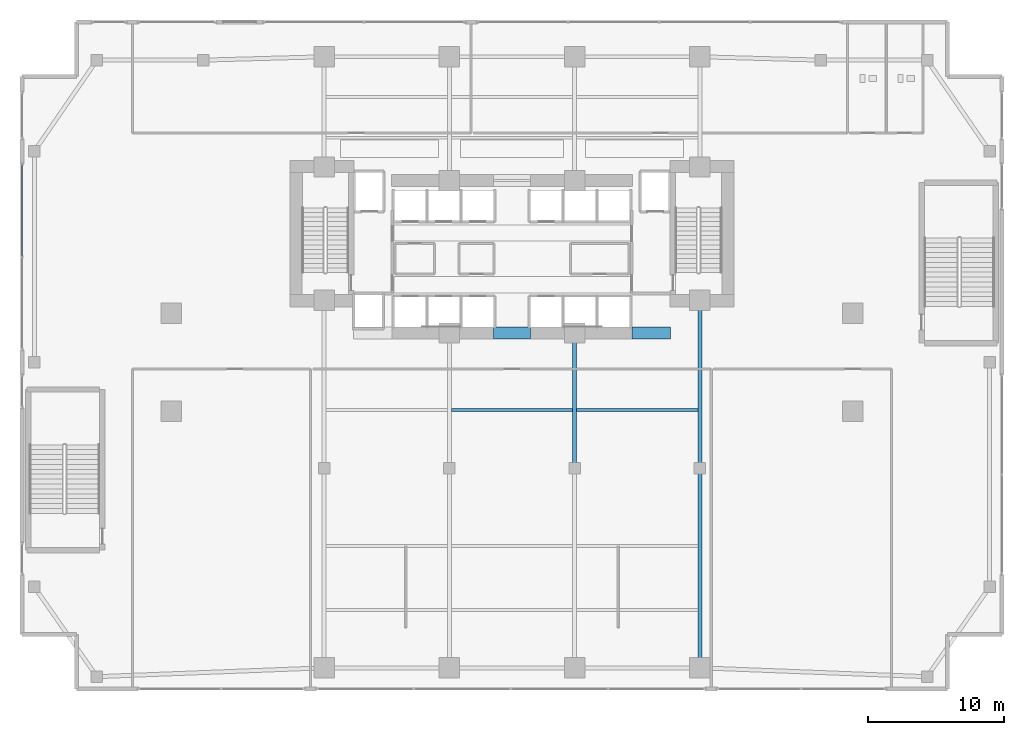
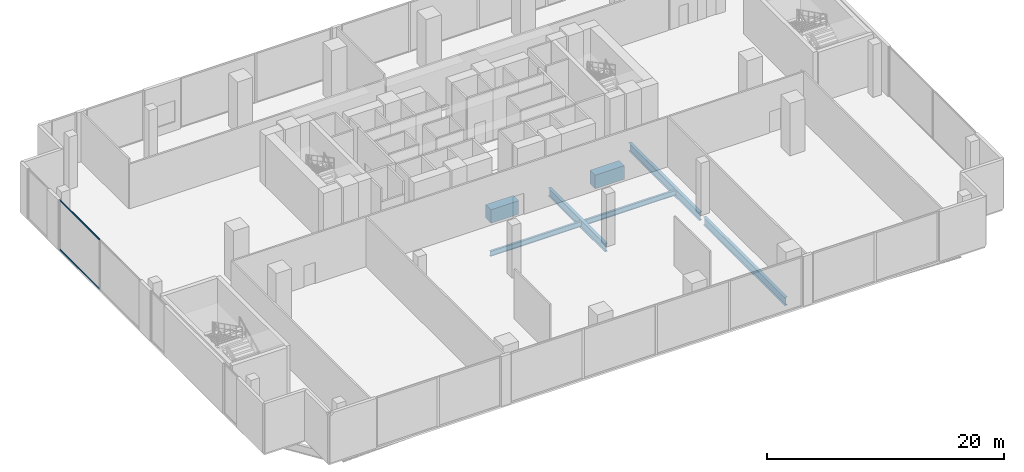
# One storey, part 11 of 30: 7 beams, 2 members, 1 element without a shape of its own.
"""IFC4 building model written with IfcOpenShell, lengths in metres."""

from ifc_helpers import new_model, si_unit, direction, frame, origin, origin_2d, place, context, subcontext, project, spatial, rectangle, hollow_rectangle, i_section, extrude, material, layer, layer_set, material_profile, profile_set, type_object, element, aggregate, save


model = new_model("IFC4")

# Units and contexts
model_context = context("Model", 3, precision=1e-05, world=origin(), true_north=direction((0.0, 1.0)))
body_context = subcontext(model_context, "Body", "Model", "MODEL_VIEW")
ifc_project = project(units=[si_unit("LENGTHUNIT", "METRE"), si_unit("AREAUNIT", "SQUARE_METRE"), si_unit("VOLUMEUNIT", "CUBIC_METRE"), si_unit("PLANEANGLEUNIT", "RADIAN"), si_unit("MASSUNIT", "GRAM", prefix="KILO")], contexts=[model_context])

# Site, building, storey
site_placement = place(None, origin())
site = spatial("IfcSite", under=ifc_project, at=site_placement, CompositionType="ELEMENT")
building_placement = place(site_placement, origin())
building = spatial("IfcBuilding", under=site, at=building_placement, Name="Zuhayl Quay Hotel", CompositionType="ELEMENT")
storey_placement = place(building_placement, frame((0.0, 0.0, 6.0)))
storey = spatial("IfcBuildingStorey", under=building, at=storey_placement, Name="L01", CompositionType="ELEMENT", Elevation=6.0)

# Beams
ifc_material_1 = material(Name="Concrete C60/75", Category="concrete")
ifc_material_profile_1 = material_profile(ifc_material_1, rectangle(XDim=0.89990234375, YDim=1.39990234375, at=origin_2d()), Name="RC900X1400")
ifc_profile_set_1 = profile_set([ifc_material_profile_1], Name="Concrete C60/75")
beam_type_1 = type_object("IfcBeamType", Name="BM_CB1_RC900", PredefinedType="T_BEAM", material=ifc_profile_set_1)
beam_1_placement = place(storey_placement, frame((8.800048828125, 2.14990234375, -0.949951171875), z_axis=(1.0, 0.0, 0.0), x_axis=(0.0, 1.0, 0.0)))
element("IfcBeam", 1, at=beam_1_placement, inside=storey, type_object=beam_type_1, Name="L01 Core Coupling Beam SE", PredefinedType="T_BEAM", context=body_context, shape_type="SweptSolid", body=[
    extrude(rectangle(XDim=0.89990234375, YDim=1.39990234375, at=origin_2d()), origin(), (0.0, 0.0, 1.0), 2.849853515625),
])
beam_2_placement = place(storey_placement, frame((-1.35009765625, 2.14990234375, -0.949951171875), z_axis=(1.0, 0.0, 0.0), x_axis=(0.0, 1.0, 0.0)))
element("IfcBeam", 2, at=beam_2_placement, inside=storey, type_object=beam_type_1, Name="L01 Core Coupling Beam South", PredefinedType="T_BEAM", context=body_context, shape_type="SweptSolid", body=[
    extrude(rectangle(XDim=0.89990234375, YDim=1.39990234375, at=origin_2d()), origin(), (0.0, 0.0, 1.0), 2.7001953125),
])
ifc_material_2 = material(Name="Steel ASTM A992 Grade 50", Category="steel")
ifc_material_profile_2 = material_profile(ifc_material_2, i_section(OverallWidth=0.208984375, OverallDepth=0.532958984375, WebThickness=0.01025390625, FlangeThickness=0.015625, at=origin_2d()), Name="W21X62")
ifc_profile_set_2 = profile_set([ifc_material_profile_2], Name="Steel ASTM A992 Grade 50")
beam_type_2 = type_object("IfcBeamType", Name="BM_J1_W21X62", PredefinedType="JOIST", material=ifc_profile_set_2)
beam_3_placement = place(storey_placement, frame((-4.4619140625, -3.5, -0.5166015625), z_axis=(1.0, 0.0, 0.0), x_axis=(0.0, 1.0, 0.0)))
element("IfcBeam", 3, at=beam_3_placement, inside=storey, type_object=beam_type_2, Name="L01 Floor Beam J_POD_L01_3_2", PredefinedType="JOIST", context=body_context, shape_type="SweptSolid", body=[
    extrude(i_section(OverallWidth=0.208984375, OverallDepth=0.532958984375, WebThickness=0.01025390625, FlangeThickness=0.015625, at=origin_2d()), origin(), (0.0, 0.0, 1.0), 8.923828125),
])
beam_4_placement = place(storey_placement, frame((4.738037109375, -3.5, -0.5166015625), z_axis=(1.0, 0.0, 0.0), x_axis=(0.0, 1.0, 0.0)))
element("IfcBeam", 4, at=beam_4_placement, inside=storey, type_object=beam_type_2, Name="L01 Floor Beam J_POD_L01_3_3", PredefinedType="JOIST", context=body_context, shape_type="SweptSolid", body=[
    extrude(i_section(OverallWidth=0.208984375, OverallDepth=0.532958984375, WebThickness=0.01025390625, FlangeThickness=0.015625, at=origin_2d()), origin(), (0.0, 0.0, 1.0), 8.924072265625),
])
ifc_material_profile_3 = material_profile(ifc_material_2, i_section(OverallWidth=0.2919921875, OverallDepth=0.845947265625, WebThickness=0.015380859375, FlangeThickness=0.0244140625, at=origin_2d()), Name="W33X141")
ifc_profile_set_3 = profile_set([ifc_material_profile_3], Name="Steel ASTM A992 Grade 50")
beam_type_3 = type_object("IfcBeamType", Name="BM_PG3_W33X141", PredefinedType="BEAM", material=ifc_profile_set_3)
beam_5_placement = place(storey_placement, frame((4.60009765625, -7.449951171875, -0.673095703125), z_axis=(0.0, 1.0, 0.0), x_axis=(-1.0, 0.0, 0.0)))
element("IfcBeam", 5, at=beam_5_placement, inside=storey, type_object=beam_type_3, Name="L01 Floor Beam PG_NS2_L01_3", PredefinedType="BEAM", context=body_context, shape_type="SweptSolid", body=[
    extrude(i_section(OverallWidth=0.2919921875, OverallDepth=0.845947265625, WebThickness=0.015380859375, FlangeThickness=0.0244140625, at=origin_2d()), origin(), (0.0, 0.0, 1.0), 9.550048828125),
])
beam_6_placement = place(storey_placement, frame((13.800048828125, -21.89990234375, -0.673095703125), z_axis=(0.0, 1.0, 0.0), x_axis=(-1.0, 0.0, 0.0)))
element("IfcBeam", 6, at=beam_6_placement, inside=storey, type_object=beam_type_3, Name="L01 Floor Beam PG_NS1_L01_4", PredefinedType="BEAM", context=body_context, shape_type="SweptSolid", body=[
    extrude(i_section(OverallWidth=0.2919921875, OverallDepth=0.845947265625, WebThickness=0.015380859375, FlangeThickness=0.0244140625, at=origin_2d()), origin(), (0.0, 0.0, 1.0), 13.75),
])
beam_7_placement = place(storey_placement, frame((13.800048828125, -7.449951171875, -0.673095703125), z_axis=(0.0, 1.0, 0.0), x_axis=(-1.0, 0.0, 0.0)))
element("IfcBeam", 7, at=beam_7_placement, inside=storey, type_object=beam_type_3, Name="L01 Floor Beam PG_NS2_L01_4", PredefinedType="BEAM", context=body_context, shape_type="SweptSolid", body=[
    extrude(i_section(OverallWidth=0.2919921875, OverallDepth=0.845947265625, WebThickness=0.015380859375, FlangeThickness=0.0244140625, at=origin_2d()), origin(), (0.0, 0.0, 1.0), 11.89990234375),
])

# Curtain wall, members
ifc_material_3 = material(Name="Anodised Aluminium 6063-T6", Category="aluminium")
ifc_layer = layer(ifc_material_3, 0.199951171875, Name="Anodised Aluminium 6063-T6", Category="aluminium")
ifc_layer_set = layer_set([ifc_layer], Name="Anodised Aluminium 6063-T6")
curtain_wall_type = type_object("IfcCurtainWallType", Name="CW_SYS_POD", PredefinedType="USERDEFINED", material=ifc_layer_set)
curtain_wall_placement = place(storey_placement, origin())
curtain_wall = element("IfcCurtainWall", 8, at=curtain_wall_placement, inside=storey, type_object=curtain_wall_type, Name="L01 Curtain Wall ENV_L01_E02_CW3", ObjectType="UNITISED CURTAIN WALL", PredefinedType="USERDEFINED")
ifc_material_4 = material(Name="Black-anodised aluminium 6063-T6", Category="aluminium")
ifc_material_profile_4 = material_profile(ifc_material_4, hollow_rectangle(XDim=0.06005859375, YDim=0.14990234375, WallThickness=0.00341796875, at=origin_2d()), Name="ALU150X60")
ifc_profile_set_4 = profile_set([ifc_material_profile_4], Name="Black-anodised aluminium 6063-T6")
member_type = type_object("IfcMemberType", Name="MB_CW_TRN_150", PredefinedType="USERDEFINED", material=ifc_profile_set_4)
member_1_placement = place(storey_placement, frame((-36.0, 7.78759765625, 0.030029296875), z_axis=(0.0, 1.0, 0.0), x_axis=(-1.0, 0.0, 0.0)))
member_1 = element("IfcMember", 9, at=member_1_placement, type_object=member_type, Name="CW-POD transom 2.1", ObjectType="TRANSOM", PredefinedType="USERDEFINED", context=body_context, shape_type="SweptSolid", body=[
    extrude(hollow_rectangle(XDim=0.06005859375, YDim=0.14990234375, WallThickness=0.00341796875, at=origin_2d()), origin(), (0.0, 0.0, 1.0), 6.71728515625),
])
member_2_placement = place(storey_placement, frame((-36.0, 7.78759765625, 5.110107421875), z_axis=(0.0, 1.0, 0.0), x_axis=(-1.0, 0.0, 0.0)))
member_2 = element("IfcMember", 10, at=member_2_placement, type_object=member_type, Name="CW-POD transom 2.2", ObjectType="TRANSOM", PredefinedType="USERDEFINED", context=body_context, shape_type="SweptSolid", body=[
    extrude(hollow_rectangle(XDim=0.06005859375, YDim=0.14990234375, WallThickness=0.00341796875, at=origin_2d()), origin(), (0.0, 0.0, 1.0), 6.71728515625),
])
aggregate(curtain_wall, [member_1, member_2])

save(model, "model.ifc")
